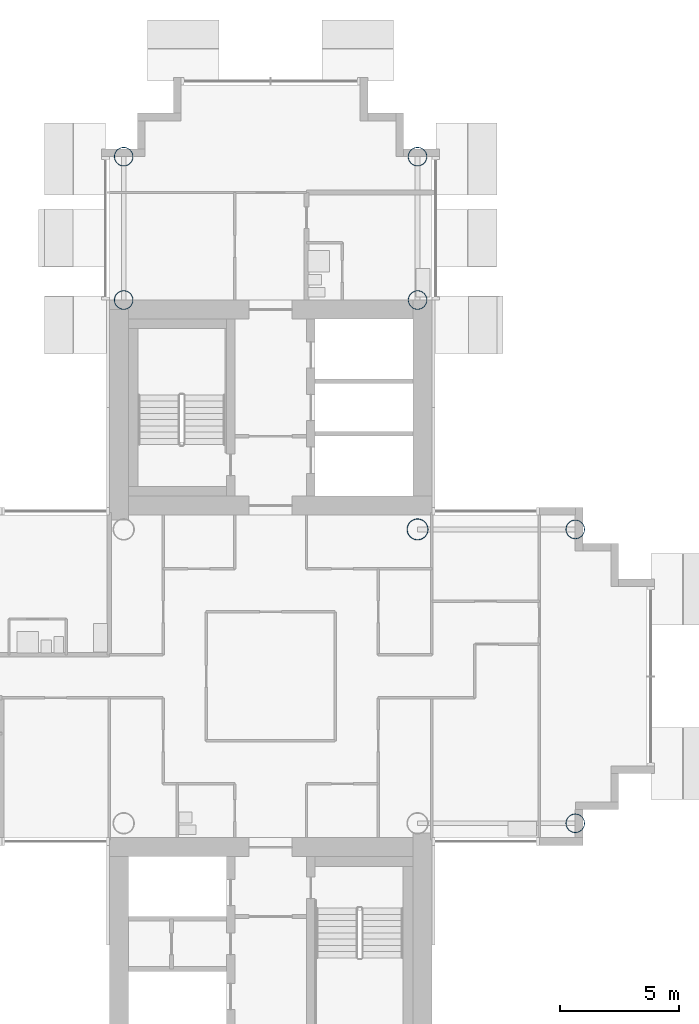
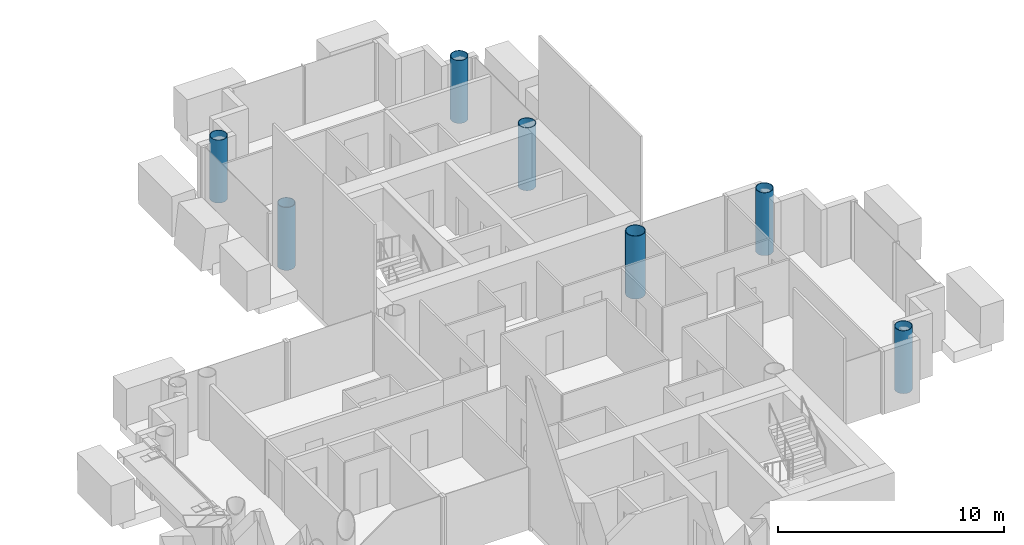
# One storey, part 2 of 18: 7 columns.
"""IFC4 building model written with IfcOpenShell, lengths in metres."""

from ifc_helpers import new_model, si_unit, direction, frame, origin, origin_2d, place, context, subcontext, project, spatial, hollow_circle, extrude, material, material_profile, profile_set, type_object, element, save


model = new_model("IFC4")

# Units and contexts
model_context = context("Model", 3, precision=1e-05, world=origin(), true_north=direction((0.0, 1.0)))
body_context = subcontext(model_context, "Body", "Model", "MODEL_VIEW")
ifc_project = project(units=[si_unit("LENGTHUNIT", "METRE"), si_unit("AREAUNIT", "SQUARE_METRE"), si_unit("VOLUMEUNIT", "CUBIC_METRE"), si_unit("PLANEANGLEUNIT", "RADIAN"), si_unit("MASSUNIT", "GRAM", prefix="KILO")], contexts=[model_context])

# Site, building, storey
site_placement = place(None, origin())
site = spatial("IfcSite", under=ifc_project, at=site_placement, CompositionType="ELEMENT")
building_placement = place(site_placement, origin())
building = spatial("IfcBuilding", under=site, at=building_placement, Name="Ipe Terrace Towers", CompositionType="ELEMENT")
storey_placement = place(building_placement, frame((0.0, 0.0, 177.89990234375)))
storey = spatial("IfcBuildingStorey", under=building, at=storey_placement, Name="L49", CompositionType="ELEMENT", Elevation=177.89990234375)

# Columns
ifc_material_1 = material(Name="Steel S355 tube with Concrete C60/75 fill", Category="concrete")
ifc_material_profile_1 = material_profile(ifc_material_1, hollow_circle(Radius=0.39990234375, WallThickness=0.028076171875, at=origin_2d()), Name="CHS-800x28")
ifc_profile_set_1 = profile_set([ifc_material_profile_1], Name="Steel S355 tube with Concrete C60/75 fill")
column_type_1 = type_object("IfcColumnType", Name="CH09 COLUMN CHS-800x28", PredefinedType="COLUMN", material=ifc_profile_set_1)
for number, where, z_axis, x_axis, name in (
    (1, (42.14990234375, 15.75, 0.0), (0.0, 0.0, 1.0), (1.0, 0.0, 0.0), "Column T2-C-A01"),
    (2, (29.85009765625, 15.75, 0.0), (0.0, 0.0, 1.0), (1.0, 0.0, 0.0), "Column T2-C-A02"),
    (3, (42.14990234375, 21.75, 0.0), (0.0, 0.0, 1.0), (1.0, 0.0, 0.0), "Column T2-C-A03"),
    (4, (29.85009765625, 21.75, 0.0), (0.0, 0.0, 1.0), (1.0, 0.0, 0.0), "Column T2-C-A04"),
    (5, (48.75, -6.14990234375, 0.0), (0.0, 0.0, 1.0), (1.0, 0.0, 0.0), "Column T2-C-D01"),
    (6, (48.75, 6.14990234375, 0.0), (0.0, 0.0, 1.0), (1.0, 0.0, 0.0), "Column T2-C-D02"),
):
    element("IfcColumn", number, at=place(storey_placement, frame(where, z_axis=z_axis, x_axis=x_axis)), inside=storey, type_object=column_type_1, Name=name, PredefinedType="COLUMN", context=body_context, shape_type="SweptSolid", body=[
        extrude(hollow_circle(Radius=0.39990234375, WallThickness=0.028076171875, at=origin_2d()), origin(), (0.0, 0.0, 1.0), 3.400146484375),
    ])
ifc_material_2 = material(Name="Steel S355 tube with Concrete C60/75 fill", Category="concrete")
ifc_material_profile_2 = material_profile(ifc_material_2, hollow_circle(Radius=0.449951171875, WallThickness=0.031982421875, at=origin_2d()), Name="CHS-900x32")
ifc_profile_set_2 = profile_set([ifc_material_profile_2], Name="Steel S355 tube with Concrete C60/75 fill")
column_type_2 = type_object("IfcColumnType", Name="CH10 COLUMN CHS-900x32", PredefinedType="COLUMN", material=ifc_profile_set_2)
column_placement = place(storey_placement, frame((42.14990234375, 6.14990234375, 0.0), z_axis=(0.0, 0.0, 1.0), x_axis=(1.0, 0.0, 0.0)))
element("IfcColumn", 7, at=column_placement, inside=storey, type_object=column_type_2, Name="Column T2-C-E02", PredefinedType="COLUMN", context=body_context, shape_type="SweptSolid", body=[
    extrude(hollow_circle(Radius=0.449951171875, WallThickness=0.031982421875, at=origin_2d()), origin(), (0.0, 0.0, 1.0), 3.400146484375),
])

save(model, "model.ifc")
